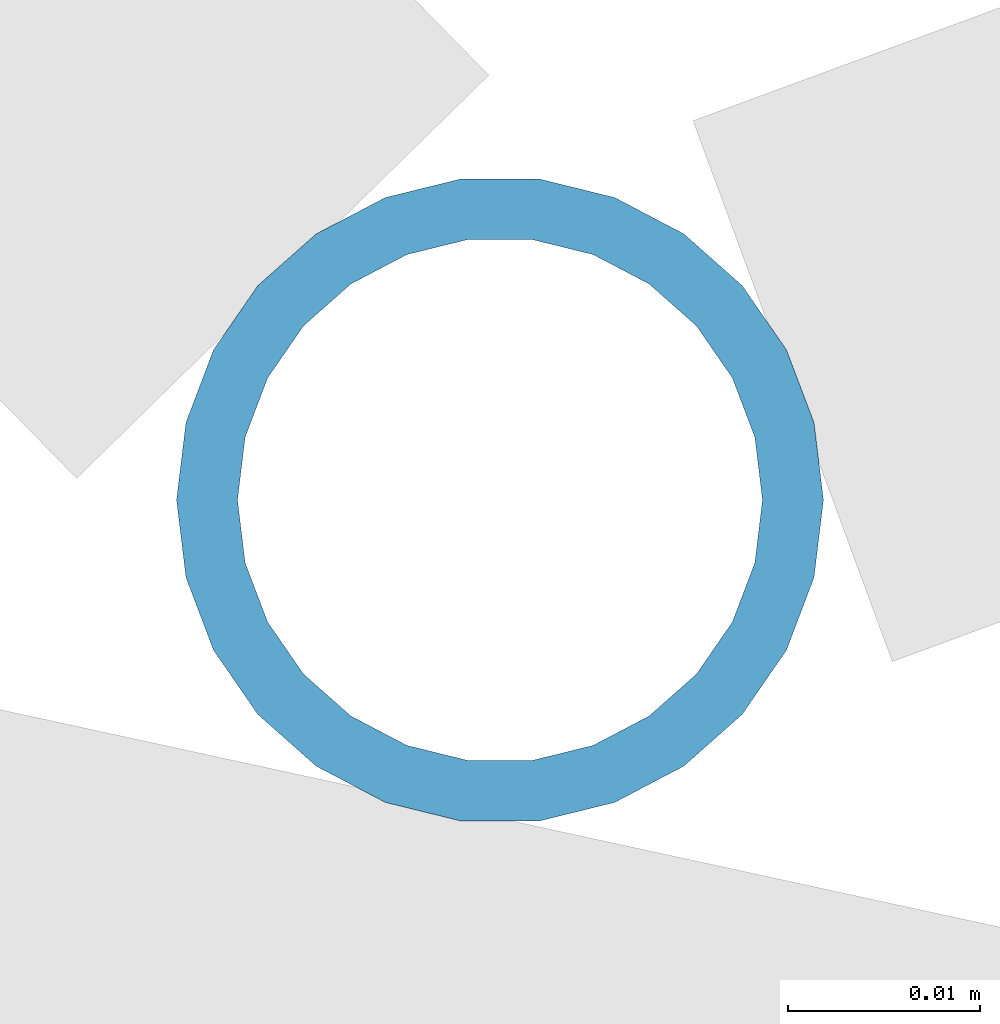
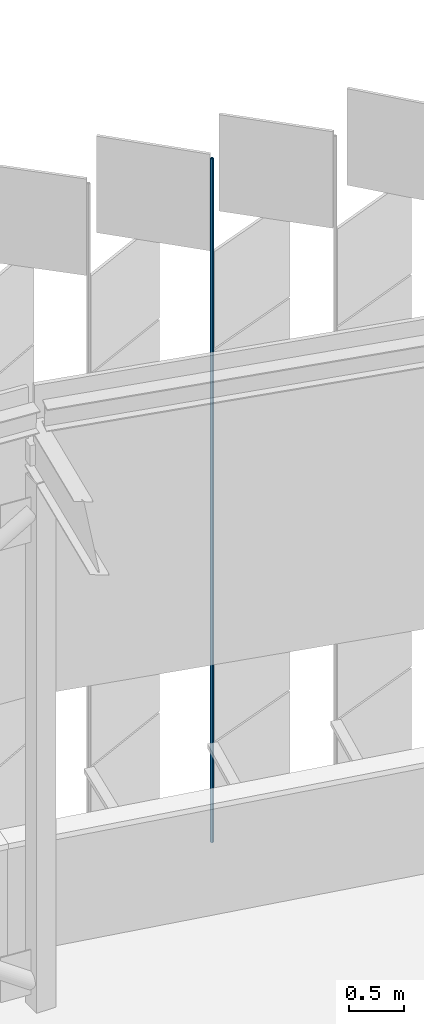
# One storey, part 393 of 483: 1 discrete accessory.
"""IFC4 building model written with IfcOpenShell, lengths in metres."""

from ifc_helpers import new_model, si_unit, direction, frame, origin, origin_2d, place, context, subcontext, project, spatial, hollow_circle, extrude, material, material_profile, profile_set, type_object, element, save


model = new_model("IFC4")

# Units and contexts
model_context = context("Model", 3, precision=1e-05, world=origin(), true_north=direction((0.0, 1.0)))
body_context = subcontext(model_context, "Body", "Model", "MODEL_VIEW")
ifc_project = project(units=[si_unit("LENGTHUNIT", "METRE"), si_unit("AREAUNIT", "SQUARE_METRE"), si_unit("VOLUMEUNIT", "CUBIC_METRE"), si_unit("PLANEANGLEUNIT", "RADIAN"), si_unit("MASSUNIT", "GRAM", prefix="KILO")], contexts=[model_context])

# Site, building, storey
site_placement = place(None, origin())
site = spatial("IfcSite", under=ifc_project, at=site_placement, CompositionType="ELEMENT")
building_placement = place(site_placement, origin())
building = spatial("IfcBuilding", under=site, at=building_placement, Name="Parallax Yard Mobility Hub", CompositionType="ELEMENT")
storey_placement = place(building_placement, frame((0.0, 0.0, 13.199951171875)))
storey = spatial("IfcBuildingStorey", under=building, at=storey_placement, Name="L04", CompositionType="ELEMENT", Elevation=13.199951171875)

# Discrete accessory
ifc_material = material(Name="Steel ASTM A500 Gr C, hot-dip galvanised", Category="steel")
ifc_material_profile = material_profile(ifc_material, hollow_circle(Radius=0.016845703125, WallThickness=0.003173828125, at=origin_2d()), Name="CHS 33.7x3.2")
ifc_profile_set = profile_set([ifc_material_profile], Name="Steel ASTM A500 Gr C, hot-dip galvanised")
discrete_accessory_type = type_object("IfcDiscreteAccessoryType", Name="Hinge post CHS 33.7x3.2", PredefinedType="BRACKET", material=ifc_profile_set)
discrete_accessory_placement = place(storey_placement, frame((183.202392578125, 142.2373046875, 0.0), z_axis=(0.0, 0.0, 1.0), x_axis=(1.0, 0.0, 0.0)))
element("IfcDiscreteAccessory", 1, at=discrete_accessory_placement, inside=storey, type_object=discrete_accessory_type, Name="Hinge post bay 49.6 level L04", PredefinedType="BRACKET", context=body_context, shape_type="SweptSolid", body=[
    extrude(hollow_circle(Radius=0.016845703125, WallThickness=0.003173828125, at=origin_2d()), origin(), (0.0, 0.0, 1.0), 7.650146484375),
])

save(model, "model.ifc")
